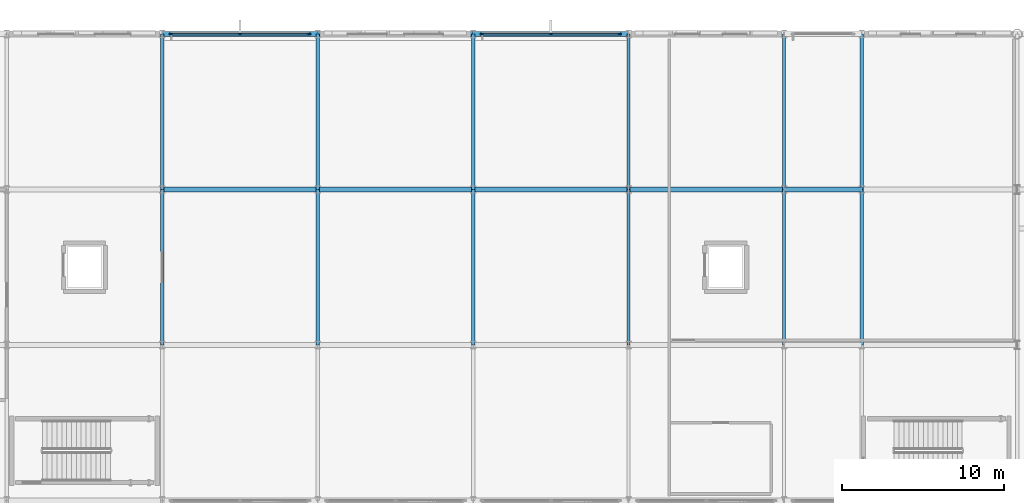
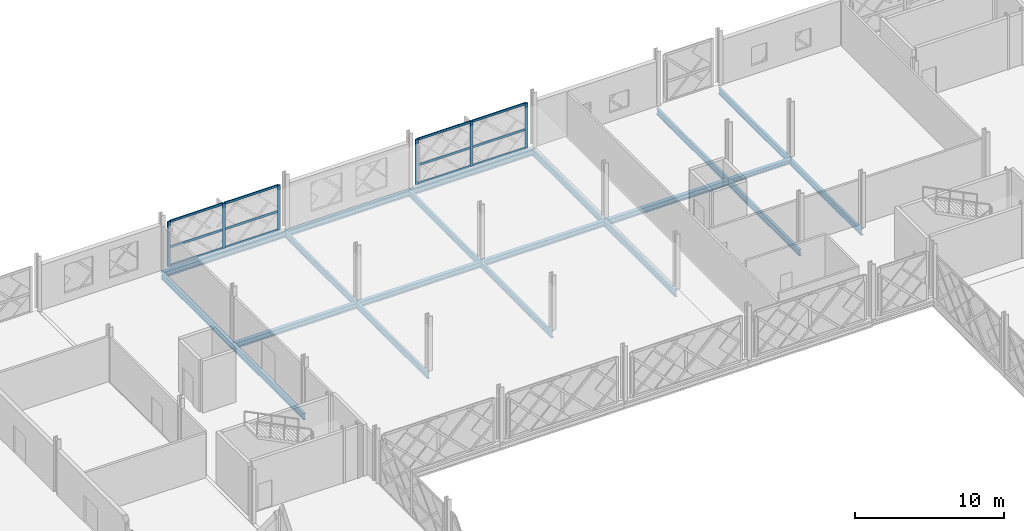
# One storey, part 49 of 101: 20 beams, 18 members, 2 elements without a shape of their own.
"""IFC4 building model written with IfcOpenShell, lengths in metres."""

from ifc_helpers import new_model, si_unit, direction, frame, origin, origin_2d, place, context, subcontext, project, spatial, rectangle, i_section, extrude, material, layer, layer_set, material_profile, profile_set, type_object, element, aggregate, save


model = new_model("IFC4")

# Units and contexts
model_context = context("Model", 3, precision=1e-05, world=origin(), true_north=direction((0.0, 1.0)))
body_context = subcontext(model_context, "Body", "Model", "MODEL_VIEW")
ifc_project = project(units=[si_unit("LENGTHUNIT", "METRE"), si_unit("AREAUNIT", "SQUARE_METRE"), si_unit("VOLUMEUNIT", "CUBIC_METRE"), si_unit("PLANEANGLEUNIT", "RADIAN"), si_unit("MASSUNIT", "GRAM", prefix="KILO")], contexts=[model_context])

# Site, building, storey
site_placement = place(None, origin())
site = spatial("IfcSite", under=ifc_project, at=site_placement, CompositionType="ELEMENT")
building_placement = place(site_placement, origin())
building = spatial("IfcBuilding", under=site, at=building_placement, Name="Zevrakil Square Congress Hotel", CompositionType="ELEMENT")
storey_placement = place(building_placement, frame((0.0, 0.0, 5.39990234375)))
storey = spatial("IfcBuildingStorey", under=building, at=storey_placement, Name="L02", CompositionType="ELEMENT", Elevation=5.39990234375)

# Beams
ifc_material_1 = material(Name="Steel S355", Category="steel")
ifc_material_profile_1 = material_profile(ifc_material_1, i_section(OverallWidth=0.300048828125, OverallDepth=0.35009765625, WebThickness=0.010009765625, FlangeThickness=0.017578125, FilletRadius=0.027099609375, at=origin_2d()), Name="HEA 360")
ifc_profile_set_1 = profile_set([ifc_material_profile_1], Name="Steel S355")
beam_type_1 = type_object("IfcBeamType", Name="BM-HEA360", PredefinedType="BEAM", material=ifc_profile_set_1)
beam_1_placement = place(storey_placement, frame((103.199951171875, 103.199951171875, -0.434814453125), z_axis=(1.0, 0.0, 0.0), x_axis=(0.0, 1.0, 0.0)))
element("IfcBeam", 1, at=beam_1_placement, inside=storey, type_object=beam_type_1, Name="L02 primary girder BX-0796", PredefinedType="BEAM", context=body_context, shape_type="SweptSolid", body=[
    extrude(i_section(OverallWidth=0.300048828125, OverallDepth=0.35009765625, WebThickness=0.010009765625, FlangeThickness=0.017578125, FilletRadius=0.027099609375, at=origin_2d()), origin(), (0.0, 0.0, 1.0), 4.800048828125),
])
ifc_material_2 = material(Name="Steel S355", Category="steel")
ifc_material_profile_2 = material_profile(ifc_material_2, i_section(OverallWidth=0.300048828125, OverallDepth=0.43994140625, WebThickness=0.011474609375, FlangeThickness=0.02099609375, FilletRadius=0.027099609375, at=origin_2d()), Name="HEA 450")
ifc_profile_set_2 = profile_set([ifc_material_profile_2], Name="Steel S355")
beam_type_2 = type_object("IfcBeamType", Name="BM-HEA450", PredefinedType="BEAM", material=ifc_profile_set_2)
beam_2_placement = place(storey_placement, frame((64.800048828125, 103.199951171875, -0.47998046875), z_axis=(1.0, 0.0, 0.0), x_axis=(0.0, 1.0, 0.0)))
element("IfcBeam", 2, at=beam_2_placement, inside=storey, type_object=beam_type_2, Name="L02 primary girder BX-0792", PredefinedType="BEAM", context=body_context, shape_type="SweptSolid", body=[
    extrude(i_section(OverallWidth=0.300048828125, OverallDepth=0.43994140625, WebThickness=0.011474609375, FlangeThickness=0.02099609375, FilletRadius=0.027099609375, at=origin_2d()), origin(), (0.0, 0.0, 1.0), 9.599853515625),
])
for number, where, z_axis, x_axis, name in (
    (3, (74.39990234375, 103.199951171875, -0.47998046875), (1.0, 0.0, 0.0), (0.0, 1.0, 0.0), "L02 primary girder BX-0793"),
    (4, (84.0, 103.199951171875, -0.47998046875), (1.0, 0.0, 0.0), (0.0, 1.0, 0.0), "L02 primary girder BX-0794"),
):
    element("IfcBeam", number, at=place(storey_placement, frame(where, z_axis=z_axis, x_axis=x_axis)), inside=storey, type_object=beam_type_2, Name=name, PredefinedType="BEAM", context=body_context, shape_type="SweptSolid", body=[
        extrude(i_section(OverallWidth=0.300048828125, OverallDepth=0.43994140625, WebThickness=0.011474609375, FlangeThickness=0.02099609375, FilletRadius=0.027099609375, at=origin_2d()), origin(), (0.0, 0.0, 1.0), 9.60009765625),
    ])
for number, where, z_axis, x_axis, name in (
    (5, (93.60009765625, 103.199951171875, -0.47998046875), (1.0, 0.0, 0.0), (0.0, 1.0, 0.0), "L02 primary girder BX-0795"),
    (6, (64.800048828125, 112.800048828125, -0.47998046875), (1.0, 0.0, 0.0), (0.0, 1.0, 0.0), "L02 primary girder BX-0806"),
):
    element("IfcBeam", number, at=place(storey_placement, frame(where, z_axis=z_axis, x_axis=x_axis)), inside=storey, type_object=beam_type_2, Name=name, PredefinedType="BEAM", context=body_context, shape_type="SweptSolid", body=[
        extrude(i_section(OverallWidth=0.300048828125, OverallDepth=0.43994140625, WebThickness=0.011474609375, FlangeThickness=0.02099609375, FilletRadius=0.027099609375, at=origin_2d()), origin(), (0.0, 0.0, 1.0), 9.599853515625),
    ])
for number, where, z_axis, x_axis, name in (
    (7, (74.39990234375, 112.800048828125, -0.47998046875), (1.0, 0.0, 0.0), (0.0, 1.0, 0.0), "L02 primary girder BX-0807"),
    (8, (84.0, 112.800048828125, -0.47998046875), (1.0, 0.0, 0.0), (0.0, 1.0, 0.0), "L02 primary girder BX-0808"),
):
    element("IfcBeam", number, at=place(storey_placement, frame(where, z_axis=z_axis, x_axis=x_axis)), inside=storey, type_object=beam_type_2, Name=name, PredefinedType="BEAM", context=body_context, shape_type="SweptSolid", body=[
        extrude(i_section(OverallWidth=0.300048828125, OverallDepth=0.43994140625, WebThickness=0.011474609375, FlangeThickness=0.02099609375, FilletRadius=0.027099609375, at=origin_2d()), origin(), (0.0, 0.0, 1.0), 9.60009765625),
    ])
ifc_material_3 = material(Name="Steel S355", Category="steel")
ifc_material_profile_3 = material_profile(ifc_material_3, i_section(OverallWidth=0.199951171875, OverallDepth=0.5, WebThickness=0.01025390625, FlangeThickness=0.01611328125, FilletRadius=0.02099609375, at=origin_2d()), Name="IPE 500")
ifc_profile_set_3 = profile_set([ifc_material_profile_3], Name="Steel S355")
beam_type_3 = type_object("IfcBeamType", Name="BM-IPE500", PredefinedType="BEAM", material=ifc_profile_set_3)
beam_3_placement = place(storey_placement, frame((64.800048828125, 93.60009765625, -0.510009765625), z_axis=(0.0, 1.0, 0.0), x_axis=(-1.0, 0.0, 0.0)))
element("IfcBeam", 9, at=beam_3_placement, inside=storey, type_object=beam_type_3, Name="L02 primary girder BY-0876", PredefinedType="BEAM", context=body_context, shape_type="SweptSolid", body=[
    extrude(i_section(OverallWidth=0.199951171875, OverallDepth=0.5, WebThickness=0.01025390625, FlangeThickness=0.01611328125, FilletRadius=0.02099609375, at=origin_2d()), origin(), (0.0, 0.0, 1.0), 9.599853515625),
])
beam_4_placement = place(storey_placement, frame((64.800048828125, 103.199951171875, -0.510009765625), z_axis=(0.0, 1.0, 0.0), x_axis=(-1.0, 0.0, 0.0)))
element("IfcBeam", 10, at=beam_4_placement, inside=storey, type_object=beam_type_3, Name="L02 primary girder BY-0877", PredefinedType="BEAM", context=body_context, shape_type="SweptSolid", body=[
    extrude(i_section(OverallWidth=0.199951171875, OverallDepth=0.5, WebThickness=0.01025390625, FlangeThickness=0.01611328125, FilletRadius=0.02099609375, at=origin_2d()), origin(), (0.0, 0.0, 1.0), 9.60009765625),
])
beam_5_placement = place(storey_placement, frame((74.39990234375, 93.60009765625, -0.510009765625), z_axis=(0.0, 1.0, 0.0), x_axis=(-1.0, 0.0, 0.0)))
element("IfcBeam", 11, at=beam_5_placement, inside=storey, type_object=beam_type_3, Name="L02 primary girder BY-0884", PredefinedType="BEAM", context=body_context, shape_type="SweptSolid", body=[
    extrude(i_section(OverallWidth=0.199951171875, OverallDepth=0.5, WebThickness=0.01025390625, FlangeThickness=0.01611328125, FilletRadius=0.02099609375, at=origin_2d()), origin(), (0.0, 0.0, 1.0), 9.599853515625),
])
beam_6_placement = place(storey_placement, frame((74.39990234375, 103.199951171875, -0.510009765625), z_axis=(0.0, 1.0, 0.0), x_axis=(-1.0, 0.0, 0.0)))
element("IfcBeam", 12, at=beam_6_placement, inside=storey, type_object=beam_type_3, Name="L02 primary girder BY-0885", PredefinedType="BEAM", context=body_context, shape_type="SweptSolid", body=[
    extrude(i_section(OverallWidth=0.199951171875, OverallDepth=0.5, WebThickness=0.01025390625, FlangeThickness=0.01611328125, FilletRadius=0.02099609375, at=origin_2d()), origin(), (0.0, 0.0, 1.0), 9.60009765625),
])
beam_7_placement = place(storey_placement, frame((84.0, 93.60009765625, -0.510009765625), z_axis=(0.0, 1.0, 0.0), x_axis=(-1.0, 0.0, 0.0)))
element("IfcBeam", 13, at=beam_7_placement, inside=storey, type_object=beam_type_3, Name="L02 primary girder BY-0890", PredefinedType="BEAM", context=body_context, shape_type="SweptSolid", body=[
    extrude(i_section(OverallWidth=0.199951171875, OverallDepth=0.5, WebThickness=0.01025390625, FlangeThickness=0.01611328125, FilletRadius=0.02099609375, at=origin_2d()), origin(), (0.0, 0.0, 1.0), 9.599853515625),
])
beam_8_placement = place(storey_placement, frame((84.0, 103.199951171875, -0.510009765625), z_axis=(0.0, 1.0, 0.0), x_axis=(-1.0, 0.0, 0.0)))
element("IfcBeam", 14, at=beam_8_placement, inside=storey, type_object=beam_type_3, Name="L02 primary girder BY-0891", PredefinedType="BEAM", context=body_context, shape_type="SweptSolid", body=[
    extrude(i_section(OverallWidth=0.199951171875, OverallDepth=0.5, WebThickness=0.01025390625, FlangeThickness=0.01611328125, FilletRadius=0.02099609375, at=origin_2d()), origin(), (0.0, 0.0, 1.0), 9.60009765625),
])
beam_9_placement = place(storey_placement, frame((93.60009765625, 93.60009765625, -0.510009765625), z_axis=(0.0, 1.0, 0.0), x_axis=(-1.0, 0.0, 0.0)))
element("IfcBeam", 15, at=beam_9_placement, inside=storey, type_object=beam_type_3, Name="L02 primary girder BY-0898", PredefinedType="BEAM", context=body_context, shape_type="SweptSolid", body=[
    extrude(i_section(OverallWidth=0.199951171875, OverallDepth=0.5, WebThickness=0.01025390625, FlangeThickness=0.01611328125, FilletRadius=0.02099609375, at=origin_2d()), origin(), (0.0, 0.0, 1.0), 9.599853515625),
])
beam_10_placement = place(storey_placement, frame((93.60009765625, 103.199951171875, -0.510009765625), z_axis=(0.0, 1.0, 0.0), x_axis=(-1.0, 0.0, 0.0)))
element("IfcBeam", 16, at=beam_10_placement, inside=storey, type_object=beam_type_3, Name="L02 primary girder BY-0899", PredefinedType="BEAM", context=body_context, shape_type="SweptSolid", body=[
    extrude(i_section(OverallWidth=0.199951171875, OverallDepth=0.5, WebThickness=0.01025390625, FlangeThickness=0.01611328125, FilletRadius=0.02099609375, at=origin_2d()), origin(), (0.0, 0.0, 1.0), 9.60009765625),
])
beam_11_placement = place(storey_placement, frame((103.199951171875, 93.60009765625, -0.510009765625), z_axis=(0.0, 1.0, 0.0), x_axis=(-1.0, 0.0, 0.0)))
element("IfcBeam", 17, at=beam_11_placement, inside=storey, type_object=beam_type_3, Name="L02 primary girder BY-0906", PredefinedType="BEAM", context=body_context, shape_type="SweptSolid", body=[
    extrude(i_section(OverallWidth=0.199951171875, OverallDepth=0.5, WebThickness=0.01025390625, FlangeThickness=0.01611328125, FilletRadius=0.02099609375, at=origin_2d()), origin(), (0.0, 0.0, 1.0), 9.599853515625),
])
beam_12_placement = place(storey_placement, frame((103.199951171875, 103.199951171875, -0.510009765625), z_axis=(0.0, 1.0, 0.0), x_axis=(-1.0, 0.0, 0.0)))
element("IfcBeam", 18, at=beam_12_placement, inside=storey, type_object=beam_type_3, Name="L02 primary girder BY-0907", PredefinedType="BEAM", context=body_context, shape_type="SweptSolid", body=[
    extrude(i_section(OverallWidth=0.199951171875, OverallDepth=0.5, WebThickness=0.01025390625, FlangeThickness=0.01611328125, FilletRadius=0.02099609375, at=origin_2d()), origin(), (0.0, 0.0, 1.0), 9.60009765625),
])
beam_13_placement = place(storey_placement, frame((108.0, 93.60009765625, -0.510009765625), z_axis=(0.0, 1.0, 0.0), x_axis=(-1.0, 0.0, 0.0)))
element("IfcBeam", 19, at=beam_13_placement, inside=storey, type_object=beam_type_3, Name="L02 primary girder BY-0918", PredefinedType="BEAM", context=body_context, shape_type="SweptSolid", body=[
    extrude(i_section(OverallWidth=0.199951171875, OverallDepth=0.5, WebThickness=0.01025390625, FlangeThickness=0.01611328125, FilletRadius=0.02099609375, at=origin_2d()), origin(), (0.0, 0.0, 1.0), 9.599853515625),
])
beam_14_placement = place(storey_placement, frame((108.0, 103.199951171875, -0.510009765625), z_axis=(0.0, 1.0, 0.0), x_axis=(-1.0, 0.0, 0.0)))
element("IfcBeam", 20, at=beam_14_placement, inside=storey, type_object=beam_type_3, Name="L02 primary girder BY-0919", PredefinedType="BEAM", context=body_context, shape_type="SweptSolid", body=[
    extrude(i_section(OverallWidth=0.199951171875, OverallDepth=0.5, WebThickness=0.01025390625, FlangeThickness=0.01611328125, FilletRadius=0.02099609375, at=origin_2d()), origin(), (0.0, 0.0, 1.0), 9.60009765625),
])

# Curtain wall, members
ifc_material_4 = material(Name="Aluminium Anodised Bronze", Category="aluminium")
ifc_layer = layer(ifc_material_4, 0.179931640625)
ifc_layer_set = layer_set([ifc_layer], Name="Aluminium Anodised Bronze")
curtain_wall_type = type_object("IfcCurtainWallType", Name="CW-L02-840", PredefinedType="USERDEFINED", material=ifc_layer_set)
curtain_wall_1_placement = place(storey_placement, origin())
curtain_wall_1 = element("IfcCurtainWall", 21, at=curtain_wall_1_placement, inside=storey, type_object=curtain_wall_type, Name="L02 diamond curtain wall CW-L02-0038", ObjectType="GLAZED CURTAIN WALL", PredefinedType="USERDEFINED")
ifc_material_5 = material(Name="Aluminium Anodised Bronze", Category="aluminium")
ifc_material_profile_4 = material_profile(ifc_material_5, rectangle(XDim=0.0849609375, YDim=0.179931640625, at=origin_2d()), Name="ALU 85x180")
ifc_profile_set_4 = profile_set([ifc_material_profile_4], Name="Aluminium Anodised Bronze")
member_type_1 = type_object("IfcMemberType", Name="CWM-ALU85x180", PredefinedType="USERDEFINED", material=ifc_profile_set_4)
member_1_placement = place(storey_placement, frame((65.3798828125, 112.800048828125, 0.030029296875), z_axis=(1.0, 0.0, 0.0), x_axis=(0.0, 1.0, 0.0)))
member_1 = element("IfcMember", 22, at=member_1_placement, type_object=member_type_1, Name="CW-23 transom 1.1", ObjectType="TRANSOM", PredefinedType="USERDEFINED", context=body_context, shape_type="SweptSolid", body=[
    extrude(rectangle(XDim=0.0849609375, YDim=0.179931640625, at=origin_2d()), origin(), (0.0, 0.0, 1.0), 4.190185546875),
])
member_2_placement = place(storey_placement, frame((65.3798828125, 112.800048828125, 1.5478515625), z_axis=(1.0, 0.0, 0.0), x_axis=(0.0, 1.0, 0.0)))
member_2 = element("IfcMember", 23, at=member_2_placement, type_object=member_type_1, Name="CW-23 transom 1.2", ObjectType="TRANSOM", PredefinedType="USERDEFINED", context=body_context, shape_type="SweptSolid", body=[
    extrude(rectangle(XDim=0.0849609375, YDim=0.179931640625, at=origin_2d()), origin(), (0.0, 0.0, 1.0), 4.190185546875),
])
member_3_placement = place(storey_placement, frame((65.3798828125, 112.800048828125, 3.655029296875), z_axis=(1.0, 0.0, 0.0), x_axis=(0.0, 1.0, 0.0)))
member_3 = element("IfcMember", 24, at=member_3_placement, type_object=member_type_1, Name="CW-23 transom 1.3", ObjectType="TRANSOM", PredefinedType="USERDEFINED", context=body_context, shape_type="SweptSolid", body=[
    extrude(rectangle(XDim=0.0849609375, YDim=0.179931640625, at=origin_2d()), origin(), (0.0, 0.0, 1.0), 4.190185546875),
])
member_4_placement = place(storey_placement, frame((69.6298828125, 112.800048828125, 0.030029296875), z_axis=(1.0, 0.0, 0.0), x_axis=(0.0, 1.0, 0.0)))
member_4 = element("IfcMember", 25, at=member_4_placement, type_object=member_type_1, Name="CW-23 transom 2.1", ObjectType="TRANSOM", PredefinedType="USERDEFINED", context=body_context, shape_type="SweptSolid", body=[
    extrude(rectangle(XDim=0.0849609375, YDim=0.179931640625, at=origin_2d()), origin(), (0.0, 0.0, 1.0), 4.190185546875),
])
member_5_placement = place(storey_placement, frame((69.6298828125, 112.800048828125, 1.5478515625), z_axis=(1.0, 0.0, 0.0), x_axis=(0.0, 1.0, 0.0)))
member_5 = element("IfcMember", 26, at=member_5_placement, type_object=member_type_1, Name="CW-23 transom 2.2", ObjectType="TRANSOM", PredefinedType="USERDEFINED", context=body_context, shape_type="SweptSolid", body=[
    extrude(rectangle(XDim=0.0849609375, YDim=0.179931640625, at=origin_2d()), origin(), (0.0, 0.0, 1.0), 4.190185546875),
])
member_6_placement = place(storey_placement, frame((69.6298828125, 112.800048828125, 3.655029296875), z_axis=(1.0, 0.0, 0.0), x_axis=(0.0, 1.0, 0.0)))
member_6 = element("IfcMember", 27, at=member_6_placement, type_object=member_type_1, Name="CW-23 transom 2.3", ObjectType="TRANSOM", PredefinedType="USERDEFINED", context=body_context, shape_type="SweptSolid", body=[
    extrude(rectangle(XDim=0.0849609375, YDim=0.179931640625, at=origin_2d()), origin(), (0.0, 0.0, 1.0), 4.190185546875),
])

curtain_wall_2_placement = place(storey_placement, origin())
curtain_wall_2 = element("IfcCurtainWall", 28, at=curtain_wall_2_placement, inside=storey, type_object=curtain_wall_type, Name="L02 diamond curtain wall CW-L02-0040", ObjectType="GLAZED CURTAIN WALL", PredefinedType="USERDEFINED")
member_7_placement = place(storey_placement, frame((84.580078125, 112.800048828125, 0.030029296875), z_axis=(1.0, 0.0, 0.0), x_axis=(0.0, 1.0, 0.0)))
member_7 = element("IfcMember", 29, at=member_7_placement, type_object=member_type_1, Name="CW-23 transom 1.1", ObjectType="TRANSOM", PredefinedType="USERDEFINED", context=body_context, shape_type="SweptSolid", body=[
    extrude(rectangle(XDim=0.0849609375, YDim=0.179931640625, at=origin_2d()), origin(), (0.0, 0.0, 1.0), 4.18994140625),
])
member_8_placement = place(storey_placement, frame((84.580078125, 112.800048828125, 1.5478515625), z_axis=(1.0, 0.0, 0.0), x_axis=(0.0, 1.0, 0.0)))
member_8 = element("IfcMember", 30, at=member_8_placement, type_object=member_type_1, Name="CW-23 transom 1.2", ObjectType="TRANSOM", PredefinedType="USERDEFINED", context=body_context, shape_type="SweptSolid", body=[
    extrude(rectangle(XDim=0.0849609375, YDim=0.179931640625, at=origin_2d()), origin(), (0.0, 0.0, 1.0), 4.18994140625),
])
member_9_placement = place(storey_placement, frame((84.580078125, 112.800048828125, 3.655029296875), z_axis=(1.0, 0.0, 0.0), x_axis=(0.0, 1.0, 0.0)))
member_9 = element("IfcMember", 31, at=member_9_placement, type_object=member_type_1, Name="CW-23 transom 1.3", ObjectType="TRANSOM", PredefinedType="USERDEFINED", context=body_context, shape_type="SweptSolid", body=[
    extrude(rectangle(XDim=0.0849609375, YDim=0.179931640625, at=origin_2d()), origin(), (0.0, 0.0, 1.0), 4.18994140625),
])
member_10_placement = place(storey_placement, frame((88.830078125, 112.800048828125, 0.030029296875), z_axis=(1.0, 0.0, 0.0), x_axis=(0.0, 1.0, 0.0)))
member_10 = element("IfcMember", 32, at=member_10_placement, type_object=member_type_1, Name="CW-23 transom 2.1", ObjectType="TRANSOM", PredefinedType="USERDEFINED", context=body_context, shape_type="SweptSolid", body=[
    extrude(rectangle(XDim=0.0849609375, YDim=0.179931640625, at=origin_2d()), origin(), (0.0, 0.0, 1.0), 4.18994140625),
])
member_11_placement = place(storey_placement, frame((88.830078125, 112.800048828125, 1.5478515625), z_axis=(1.0, 0.0, 0.0), x_axis=(0.0, 1.0, 0.0)))
member_11 = element("IfcMember", 33, at=member_11_placement, type_object=member_type_1, Name="CW-23 transom 2.2", ObjectType="TRANSOM", PredefinedType="USERDEFINED", context=body_context, shape_type="SweptSolid", body=[
    extrude(rectangle(XDim=0.0849609375, YDim=0.179931640625, at=origin_2d()), origin(), (0.0, 0.0, 1.0), 4.18994140625),
])
member_12_placement = place(storey_placement, frame((88.830078125, 112.800048828125, 3.655029296875), z_axis=(1.0, 0.0, 0.0), x_axis=(0.0, 1.0, 0.0)))
member_12 = element("IfcMember", 34, at=member_12_placement, type_object=member_type_1, Name="CW-23 transom 2.3", ObjectType="TRANSOM", PredefinedType="USERDEFINED", context=body_context, shape_type="SweptSolid", body=[
    extrude(rectangle(XDim=0.0849609375, YDim=0.179931640625, at=origin_2d()), origin(), (0.0, 0.0, 1.0), 4.18994140625),
])

# Member
ifc_material_6 = material(Name="Aluminium Anodised Bronze", Category="aluminium")
ifc_material_profile_5 = material_profile(ifc_material_6, rectangle(XDim=0.0849609375, YDim=0.219970703125, at=origin_2d()), Name="ALU 85x220")
ifc_profile_set_5 = profile_set([ifc_material_profile_5], Name="Aluminium Anodised Bronze")
member_type_2 = type_object("IfcMemberType", Name="CWM-ALU85x220", PredefinedType="MULLION", material=ifc_profile_set_5)
member_13_placement = place(storey_placement, frame((65.35009765625, 112.800048828125, 0.0), z_axis=(0.0, 0.0, 1.0), x_axis=(0.0, 1.0, 0.0)))
member_13 = element("IfcMember", 35, at=member_13_placement, type_object=member_type_2, Name="CW-23 mullion 1", PredefinedType="MULLION", context=body_context, shape_type="SweptSolid", body=[
    extrude(rectangle(XDim=0.0849609375, YDim=0.219970703125, at=origin_2d()), origin(), (0.0, 0.0, 1.0), 3.68505859375),
])

member_14_placement = place(storey_placement, frame((69.60009765625, 112.800048828125, 0.0), z_axis=(0.0, 0.0, 1.0), x_axis=(0.0, 1.0, 0.0)))
member_14 = element("IfcMember", 36, at=member_14_placement, type_object=member_type_2, Name="CW-23 mullion 2", PredefinedType="MULLION", context=body_context, shape_type="SweptSolid", body=[
    extrude(rectangle(XDim=0.0849609375, YDim=0.219970703125, at=origin_2d()), origin(), (0.0, 0.0, 1.0), 3.68505859375),
])

member_15_placement = place(storey_placement, frame((73.85009765625, 112.800048828125, 0.0), z_axis=(0.0, 0.0, 1.0), x_axis=(0.0, 1.0, 0.0)))
member_15 = element("IfcMember", 37, at=member_15_placement, type_object=member_type_2, Name="CW-23 mullion 3", PredefinedType="MULLION", context=body_context, shape_type="SweptSolid", body=[
    extrude(rectangle(XDim=0.0849609375, YDim=0.219970703125, at=origin_2d()), origin(), (0.0, 0.0, 1.0), 3.68505859375),
])

aggregate(curtain_wall_1, [member_13, member_14, member_15, member_1, member_2, member_3, member_4, member_5, member_6])

member_16_placement = place(storey_placement, frame((84.550048828125, 112.800048828125, 0.0), z_axis=(0.0, 0.0, 1.0), x_axis=(0.0, 1.0, 0.0)))
member_16 = element("IfcMember", 38, at=member_16_placement, type_object=member_type_2, Name="CW-23 mullion 1", PredefinedType="MULLION", context=body_context, shape_type="SweptSolid", body=[
    extrude(rectangle(XDim=0.0849609375, YDim=0.219970703125, at=origin_2d()), origin(), (0.0, 0.0, 1.0), 3.68505859375),
])

member_17_placement = place(storey_placement, frame((88.800048828125, 112.800048828125, 0.0), z_axis=(0.0, 0.0, 1.0), x_axis=(0.0, 1.0, 0.0)))
member_17 = element("IfcMember", 39, at=member_17_placement, type_object=member_type_2, Name="CW-23 mullion 2", PredefinedType="MULLION", context=body_context, shape_type="SweptSolid", body=[
    extrude(rectangle(XDim=0.0849609375, YDim=0.219970703125, at=origin_2d()), origin(), (0.0, 0.0, 1.0), 3.68505859375),
])

member_18_placement = place(storey_placement, frame((93.050048828125, 112.800048828125, 0.0), z_axis=(0.0, 0.0, 1.0), x_axis=(0.0, 1.0, 0.0)))
member_18 = element("IfcMember", 40, at=member_18_placement, type_object=member_type_2, Name="CW-23 mullion 3", PredefinedType="MULLION", context=body_context, shape_type="SweptSolid", body=[
    extrude(rectangle(XDim=0.0849609375, YDim=0.219970703125, at=origin_2d()), origin(), (0.0, 0.0, 1.0), 3.68505859375),
])

aggregate(curtain_wall_2, [member_16, member_17, member_18, member_7, member_8, member_9, member_10, member_11, member_12])

save(model, "model.ifc")
